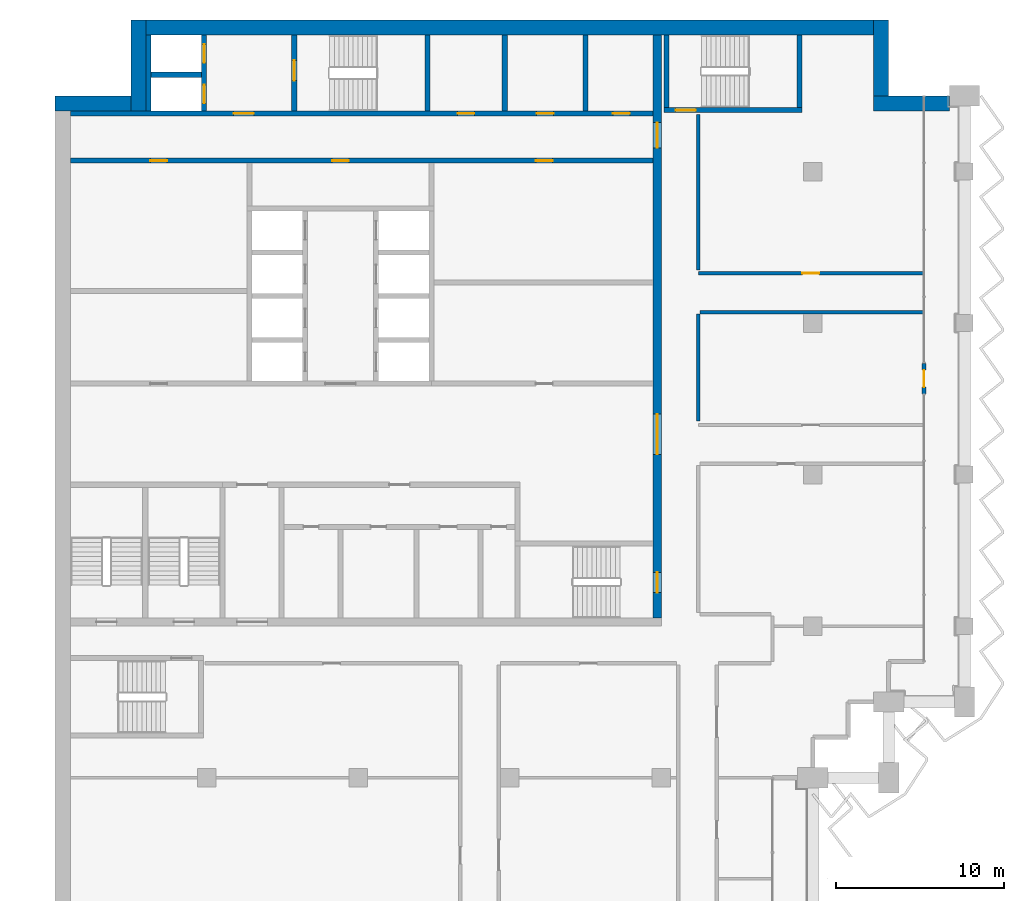
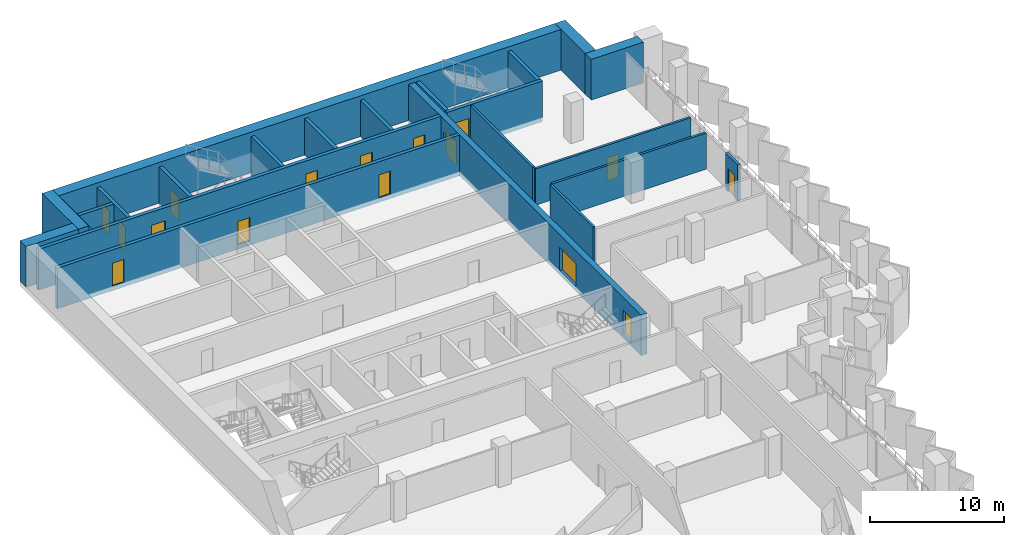
# One storey, part 10 of 17: 23 walls, 16 doors, 16 openings.
"""IFC4 building model written with IfcOpenShell, lengths in metres."""

from ifc_helpers import new_model, si_unit, direction, frame, frame_2d, origin, place, context, subcontext, project, spatial, rectangle, extrude, material, layer, layer_set, type_object, element, fill, save


model = new_model("IFC4")

# Units and contexts
model_context = context("Model", 3, precision=1e-05, world=origin(), true_north=direction((0.0, 1.0)))
body_context = subcontext(model_context, "Body", "Model", "MODEL_VIEW")
ifc_project = project(units=[si_unit("LENGTHUNIT", "METRE"), si_unit("AREAUNIT", "SQUARE_METRE"), si_unit("VOLUMEUNIT", "CUBIC_METRE"), si_unit("PLANEANGLEUNIT", "RADIAN"), si_unit("MASSUNIT", "GRAM", prefix="KILO")], contexts=[model_context])

# Site, building, storey
site_placement = place(None, origin())
site = spatial("IfcSite", under=ifc_project, at=site_placement, CompositionType="ELEMENT")
building_placement = place(site_placement, origin())
building = spatial("IfcBuilding", under=site, at=building_placement, Name="Hunhe Ridgeline Campus", CompositionType="ELEMENT")
storey_placement = place(building_placement, frame((0.0, 0.0, 197.60009765625)))
storey = spatial("IfcBuildingStorey", under=building, at=storey_placement, Name="L50", CompositionType="ELEMENT", Elevation=197.60009765625)

# Walls
ifc_material_1 = material(Name="Masonry concrete blockwork", Category="masonry")
ifc_layer_1 = layer(ifc_material_1, 0.300048828125)
ifc_layer_set_1 = layer_set([ifc_layer_1], Name="Core room partition 300 concrete block")
wall_type_1 = type_object("IfcWallType", Name="Core room partition 300 concrete block", PredefinedType="PARTITIONING", material=ifc_layer_set_1)
for number, where, z_axis, x_axis, name in (
    (1, (26.699951171875, 93.60009765625, 0.0), (0.0, 0.0, 1.0), (0.0, 1.0, 0.0), "L50 core partition 47"),
    (2, (31.5, 93.60009765625, 0.0), (0.0, 0.0, 1.0), (0.0, 1.0, 0.0), "L50 core partition 50"),
):
    element("IfcWall", number, at=place(storey_placement, frame(where, z_axis=z_axis, x_axis=x_axis)), inside=storey, type_object=wall_type_1, Name=name, PredefinedType="PARTITIONING", context=body_context, shape_type="SweptSolid", body=[
        extrude(rectangle(XDim=4.5, YDim=0.300048828125, at=frame_2d((2.25, 0.0))), origin(), (0.0, 0.0, 1.0), 3.2998046875),
    ])

# Wall, openings, doors
ifc_material_2 = material(Name="Concrete C60", Category="concrete")
ifc_layer_2 = layer(ifc_material_2, 0.5)
ifc_layer_set_2 = layer_set([ifc_layer_2], Name="Core wall 500 reinforced concrete C60")
wall_type_2 = type_object("IfcWallType", Name="Core wall 500 reinforced concrete C60", PredefinedType="SOLIDWALL", material=ifc_layer_set_2)
wall_1_placement = place(storey_placement, frame((35.75, 63.5, -0.400146484375), z_axis=(0.0, 0.0, 1.0), x_axis=(0.0, 1.0, 0.0)))
wall_1 = element("IfcWall", 3, at=wall_1_placement, inside=storey, type_object=wall_type_2, Name="L50 core wall 51", PredefinedType="SOLIDWALL", context=body_context, shape_type="SweptSolid", body=[
    extrude(rectangle(XDim=34.60009765625, YDim=0.5, at=frame_2d((17.300048828125, 0.0))), origin(), (0.0, 0.0, 1.0), 3.699951171875),
])
opening_1_placement = place(wall_1_placement, frame((9.699951171875, 0.0, 0.39990234375)))
opening_1 = element("IfcOpeningElement", 4, at=opening_1_placement, cuts=wall_1, Name="Opening CD4", PredefinedType="OPENING", context=body_context, shape_type="SweptSolid", body=[
    extrude(rectangle(XDim=2.39990234375, YDim=2.10009765625, at=frame_2d((1.199951171875, 1.050048828125))), frame((0.0, 0.25, 0.0), z_axis=(0.0, -1.0, 0.0), x_axis=(1.0, 0.0, 0.0)), (0.0, 0.0, 1.0), 0.5),
])
opening_2_placement = place(wall_1_placement, frame((27.89990234375, 0.0, 0.39990234375)))
opening_2 = element("IfcOpeningElement", 5, at=opening_2_placement, cuts=wall_1, Name="Opening CD5", PredefinedType="OPENING", context=body_context, shape_type="SweptSolid", body=[
    extrude(rectangle(XDim=1.5, YDim=2.10009765625, at=frame_2d((0.75, 1.050048828125))), frame((0.0, 0.25, 0.0), z_axis=(0.0, -1.0, 0.0), x_axis=(1.0, 0.0, 0.0)), (0.0, 0.0, 1.0), 0.5),
])
opening_3_placement = place(wall_1_placement, frame((1.5, 0.0, 0.39990234375)))
opening_3 = element("IfcOpeningElement", 6, at=opening_3_placement, cuts=wall_1, Name="Opening CD15", PredefinedType="OPENING", context=body_context, shape_type="SweptSolid", body=[
    extrude(rectangle(XDim=1.199951171875, YDim=2.10009765625, at=frame_2d((0.60009765625, 1.050048828125))), frame((0.0, 0.25, 0.0), z_axis=(0.0, -1.0, 0.0), x_axis=(1.0, 0.0, 0.0)), (0.0, 0.0, 1.0), 0.5),
])
ifc_material_3 = material(Name="Anodised aluminium and glass", Category="aluminium")
door_type_1 = type_object("IfcDoorType", Name="Glazed double door 2400x2100", OperationType="DOUBLE_DOOR_SINGLE_SWING", PredefinedType="DOOR", material=ifc_material_3)
door_1_placement = place(opening_1_placement, frame((2.39990234375, 0.0, 0.0), z_axis=(0.0, 0.0, 1.0), x_axis=(-1.0, 0.0, 0.0)))
door_1 = element("IfcDoor", 7, at=door_1_placement, inside=storey, type_object=door_type_1, Name="L50 door HALL-FLOOR", OperationType="DOUBLE_DOOR_SINGLE_SWING", OverallHeight=2.10009765625, OverallWidth=2.39990234375, PredefinedType="DOOR", context=body_context, shape_type="SweptSolid", body=[
    extrude(rectangle(XDim=2.39990234375, YDim=2.10009765625, at=frame_2d((1.199951171875, 1.050048828125))), frame((0.0, 0.02490234375, 0.0), z_axis=(0.0, -1.0, 0.0), x_axis=(1.0, 0.0, 0.0)), (0.0, 0.0, 1.0), 0.050048828125),
])
fill(opening_1, door_1)
ifc_material_4 = material(Name="Hollow metal fire door leaf")
door_type_2 = type_object("IfcDoorType", Name="Stair door 1200x2100 FD60", OperationType="SINGLE_SWING_LEFT", PredefinedType="DOOR", material=ifc_material_4)
door_2_placement = place(opening_3_placement, frame((1.199951171875, 0.0, 0.0), z_axis=(0.0, 0.0, 1.0), x_axis=(-1.0, 0.0, 0.0)))
door_2 = element("IfcDoor", 8, at=door_2_placement, inside=storey, type_object=door_type_2, Name="L50 door S2-FLOOR", OperationType="SINGLE_SWING_LEFT", OverallHeight=2.10009765625, OverallWidth=1.199951171875, PredefinedType="DOOR", context=body_context, shape_type="SweptSolid", body=[
    extrude(rectangle(XDim=1.199951171875, YDim=2.10009765625, at=frame_2d((0.60009765625, 1.050048828125))), frame((0.0, 0.02490234375, 0.0), z_axis=(0.0, -1.0, 0.0), x_axis=(1.0, 0.0, 0.0)), (0.0, 0.0, 1.0), 0.050048828125),
])
fill(opening_3, door_2)
ifc_material_5 = material(Name="Solid core timber door leaf", Category="wood")
door_type_3 = type_object("IfcDoorType", Name="Timber door 1500x2100", OperationType="SINGLE_SWING_LEFT", PredefinedType="DOOR", material=ifc_material_5)
door_3_placement = place(opening_2_placement, frame((1.5, 0.0, 0.0), z_axis=(0.0, 0.0, 1.0), x_axis=(-1.0, 0.0, 0.0)))
door_3 = element("IfcDoor", 9, at=door_3_placement, inside=storey, type_object=door_type_3, Name="L50 door C1-FLOOR", OperationType="SINGLE_SWING_LEFT", OverallHeight=2.10009765625, OverallWidth=1.5, PredefinedType="DOOR", context=body_context, shape_type="SweptSolid", body=[
    extrude(rectangle(XDim=1.5, YDim=2.10009765625, at=frame_2d((0.75, 1.050048828125))), frame((0.0, 0.02490234375, 0.0), z_axis=(0.0, -1.0, 0.0), x_axis=(1.0, 0.0, 0.0)), (0.0, 0.0, 1.0), 0.050048828125),
])
fill(opening_2, door_3)

# Wall
ifc_material_6 = material(Name="Gypsum board partition")
ifc_layer_3 = layer(ifc_material_6, 0.199951171875)
ifc_layer_set_3 = layer_set([ifc_layer_3], Name="Corridor partition 200 gypsum board on steel studs")
wall_type_3 = type_object("IfcWallType", Name="Corridor partition 200 gypsum board on steel studs", PredefinedType="PARTITIONING", material=ifc_layer_set_3)
wall_2_placement = place(storey_placement, frame((51.544921875, 81.64990234375, 0.0), z_axis=(0.0, 0.0, 1.0), x_axis=(-1.0, 0.0, 0.0)))
element("IfcWall", 10, at=wall_2_placement, inside=storey, type_object=wall_type_3, Name="F-L50-wall-034", PredefinedType="PARTITIONING", context=body_context, shape_type="SweptSolid", body=[
    extrude(rectangle(XDim=13.244873046875, YDim=0.199951171875, at=frame_2d((6.62255859375, 0.0))), origin(), (0.0, 0.0, 1.0), 3.2998046875),
])

# Wall, opening, door
wall_3_placement = place(storey_placement, frame((38.199951171875, 83.949951171875, 0.0), z_axis=(0.0, 0.0, 1.0), x_axis=(1.0, 0.0, 0.0)))
wall_3 = element("IfcWall", 11, at=wall_3_placement, inside=storey, type_object=wall_type_3, Name="F-L50-wall-035", PredefinedType="PARTITIONING", context=body_context, shape_type="SweptSolid", body=[
    extrude(rectangle(XDim=13.344970703125, YDim=0.199951171875, at=frame_2d((6.67236328125, 0.0))), origin(), (0.0, 0.0, 1.0), 3.2998046875),
])
opening_4_placement = place(wall_3_placement, frame((6.172607421875, 0.0, 0.0)))
opening_4 = element("IfcOpeningElement", 12, at=opening_4_placement, cuts=wall_3, Name="Opening RD1-018", PredefinedType="OPENING", context=body_context, shape_type="SweptSolid", body=[
    extrude(rectangle(XDim=1.0, YDim=2.10009765625, at=frame_2d((0.5, 1.050048828125))), frame((0.0, 0.10009765625, 0.0), z_axis=(0.0, -1.0, 0.0), x_axis=(1.0, 0.0, 0.0)), (0.0, 0.0, 1.0), 0.199951171875),
])
ifc_material_7 = material(Name="Timber door leaf", Category="wood")
door_type_4 = type_object("IfcDoorType", Name="Single fire door 1000x2100 timber FD60", OperationType="NOTDEFINED", PredefinedType="DOOR", material=ifc_material_7)
door_4_placement = place(opening_4_placement, origin())
door_4 = element("IfcDoor", 13, at=door_4_placement, inside=storey, type_object=door_type_4, Name="F-L50-door-018", OperationType="SINGLE_SWING_LEFT", OverallHeight=2.10009765625, OverallWidth=1.0, PredefinedType="DOOR", context=body_context, shape_type="SweptSolid", body=[
    extrude(rectangle(XDim=1.0, YDim=2.10009765625, at=frame_2d((0.5, 1.050048828125))), frame((0.0, 0.02490234375, 0.0), z_axis=(0.0, -1.0, 0.0), x_axis=(1.0, 0.0, 0.0)), (0.0, 0.0, 1.0), 0.050048828125),
])
fill(opening_4, door_4)

# Walls
wall_4_placement = place(storey_placement, frame((38.199951171875, 81.550048828125, 0.0), z_axis=(0.0, 0.0, 1.0), x_axis=(0.0, -1.0, 0.0)))
element("IfcWall", 14, at=wall_4_placement, inside=storey, type_object=wall_type_3, Name="F-L50-wall-045", PredefinedType="PARTITIONING", context=body_context, shape_type="SweptSolid", body=[
    extrude(rectangle(XDim=6.37060546875, YDim=0.199951171875, at=frame_2d((3.185302734375, 0.0))), origin(), (0.0, 0.0, 1.0), 3.2998046875),
])
wall_5_placement = place(storey_placement, frame((38.199951171875, 93.39599609375, 0.0), z_axis=(0.0, 0.0, 1.0), x_axis=(0.0, -1.0, 0.0)))
element("IfcWall", 15, at=wall_5_placement, inside=storey, type_object=wall_type_3, Name="F-L50-wall-046", PredefinedType="PARTITIONING", context=body_context, shape_type="SweptSolid", body=[
    extrude(rectangle(XDim=9.232421875, YDim=0.199951171875, at=frame_2d((4.6162109375, 0.0))), origin(), (0.0, 0.0, 1.0), 3.2998046875),
])

# Wall, openings, doors
ifc_layer_4 = layer(ifc_material_2, 0.300048828125)
ifc_layer_set_4 = layer_set([ifc_layer_4], Name="Lobby wall 300 reinforced concrete C60")
wall_type_4 = type_object("IfcWallType", Name="Lobby wall 300 reinforced concrete C60", PredefinedType="SOLIDWALL", material=ifc_layer_set_4)
wall_6_placement = place(storey_placement, frame((0.89990234375, 90.64990234375, -0.400146484375), z_axis=(0.0, 0.0, 1.0), x_axis=(1.0, 0.0, 0.0)))
wall_6 = element("IfcWall", 16, at=wall_6_placement, inside=storey, type_object=wall_type_4, Name="L50 core wall 23", PredefinedType="SOLIDWALL", context=body_context, shape_type="SweptSolid", body=[
    extrude(rectangle(XDim=34.60009765625, YDim=0.300048828125, at=frame_2d((17.300048828125, 0.0))), origin(), (0.0, 0.0, 1.0), 3.699951171875),
])
opening_5_placement = place(wall_6_placement, frame((15.550048828125, 0.0, 0.39990234375)))
opening_5 = element("IfcOpeningElement", 17, at=opening_5_placement, cuts=wall_6, Name="Opening CD26", PredefinedType="OPENING", context=body_context, shape_type="SweptSolid", body=[
    extrude(rectangle(XDim=1.0, YDim=2.10009765625, at=frame_2d((0.5, 1.050048828125))), frame((0.0, 0.14990234375, 0.0), z_axis=(0.0, -1.0, 0.0), x_axis=(1.0, 0.0, 0.0)), (0.0, 0.0, 1.0), 0.300048828125),
])
opening_6_placement = place(wall_6_placement, frame((4.75, 0.0, 0.39990234375)))
opening_6 = element("IfcOpeningElement", 18, at=opening_6_placement, cuts=wall_6, Name="Opening CD40", PredefinedType="OPENING", context=body_context, shape_type="SweptSolid", body=[
    extrude(rectangle(XDim=1.0, YDim=2.10009765625, at=frame_2d((0.5, 1.050048828125))), frame((0.0, 0.14990234375, 0.0), z_axis=(0.0, -1.0, 0.0), x_axis=(1.0, 0.0, 0.0)), (0.0, 0.0, 1.0), 0.300048828125),
])
opening_7_placement = place(wall_6_placement, frame((27.64990234375, 0.0, 0.39990234375)))
opening_7 = element("IfcOpeningElement", 19, at=opening_7_placement, cuts=wall_6, Name="Opening CD33", PredefinedType="OPENING", context=body_context, shape_type="SweptSolid", body=[
    extrude(rectangle(XDim=1.0, YDim=2.10009765625, at=frame_2d((0.5, 1.050048828125))), frame((0.0, 0.14990234375, 0.0), z_axis=(0.0, -1.0, 0.0), x_axis=(1.0, 0.0, 0.0)), (0.0, 0.0, 1.0), 0.300048828125),
])
door_type_5 = type_object("IfcDoorType", Name="Timber door 1000x2100", OperationType="SINGLE_SWING_LEFT", PredefinedType="DOOR", material=ifc_material_5)
door_5_placement = place(opening_5_placement, frame((1.0, 0.0, 0.0), z_axis=(0.0, 0.0, 1.0), x_axis=(-1.0, 0.0, 0.0)))
door_5 = element("IfcDoor", 20, at=door_5_placement, inside=storey, type_object=door_type_5, Name="L50 door NR-0", OperationType="SINGLE_SWING_LEFT", OverallHeight=2.10009765625, OverallWidth=1.0, PredefinedType="DOOR", context=body_context, shape_type="SweptSolid", body=[
    extrude(rectangle(XDim=1.0, YDim=2.10009765625, at=frame_2d((0.5, 1.050048828125))), frame((0.0, 0.02490234375, 0.0), z_axis=(0.0, -1.0, 0.0), x_axis=(1.0, 0.0, 0.0)), (0.0, 0.0, 1.0), 0.050048828125),
])
fill(opening_5, door_5)
door_6_placement = place(opening_6_placement, frame((1.0, 0.0, 0.0), z_axis=(0.0, 0.0, 1.0), x_axis=(-1.0, 0.0, 0.0)))
door_6 = element("IfcDoor", 21, at=door_6_placement, inside=storey, type_object=door_type_5, Name="L50 door VD-LR1", OperationType="SINGLE_SWING_LEFT", OverallHeight=2.10009765625, OverallWidth=1.0, PredefinedType="DOOR", context=body_context, shape_type="SweptSolid", body=[
    extrude(rectangle(XDim=1.0, YDim=2.10009765625, at=frame_2d((0.5, 1.050048828125))), frame((0.0, 0.02490234375, 0.0), z_axis=(0.0, -1.0, 0.0), x_axis=(1.0, 0.0, 0.0)), (0.0, 0.0, 1.0), 0.050048828125),
])
fill(opening_6, door_6)
door_7_placement = place(opening_7_placement, frame((1.0, 0.0, 0.0), z_axis=(0.0, 0.0, 1.0), x_axis=(-1.0, 0.0, 0.0)))
door_7 = element("IfcDoor", 22, at=door_7_placement, inside=storey, type_object=door_type_5, Name="L50 door ES1", OperationType="SINGLE_SWING_RIGHT", OverallHeight=2.10009765625, OverallWidth=1.0, PredefinedType="DOOR", context=body_context, shape_type="SweptSolid", body=[
    extrude(rectangle(XDim=1.0, YDim=2.10009765625, at=frame_2d((0.5, 1.050048828125))), frame((0.0, 0.02490234375, 0.0), z_axis=(0.0, -1.0, 0.0), x_axis=(1.0, 0.0, 0.0)), (0.0, 0.0, 1.0), 0.050048828125),
])
fill(opening_7, door_7)

# Wall, opening, door
ifc_material_8 = material(Name="Concrete C30", Category="concrete")
ifc_layer_5 = layer(ifc_material_8, 0.25)
ifc_layer_set_5 = layer_set([ifc_layer_5], Name="Loggia door pier wall 250 Concrete C30")
wall_type_5 = type_object("IfcWallType", Name="Loggia door pier wall 250 Concrete C30", PredefinedType="SOLIDWALL", material=ifc_layer_set_5)
wall_7_placement = place(storey_placement, frame((51.59912109375, 76.800537109375, 0.0), z_axis=(0.0, 0.0, 1.0), x_axis=(0.0, 1.0, 0.0)))
wall_7 = element("IfcWall", 23, at=wall_7_placement, inside=storey, type_object=wall_type_5, Name="Loggia door pier 3", PredefinedType="SOLIDWALL", context=body_context, shape_type="SweptSolid", body=[
    extrude(rectangle(XDim=1.800048828125, YDim=0.25, at=frame_2d((0.89990234375, 0.0))), origin(), (0.0, 0.0, 1.0), 3.2998046875),
])
opening_8_placement = place(wall_7_placement, frame((0.39990234375, 0.0, 0.0)))
opening_8 = element("IfcOpeningElement", 24, at=opening_8_placement, cuts=wall_7, Name="Opening BD406", PredefinedType="OPENING", context=body_context, shape_type="SweptSolid", body=[
    extrude(rectangle(XDim=1.0, YDim=2.10009765625, at=frame_2d((0.5, 1.050048828125))), frame((0.0, 0.125, 0.0), z_axis=(0.0, -1.0, 0.0), x_axis=(1.0, 0.0, 0.0)), (0.0, 0.0, 1.0), 0.25),
])
ifc_material_9 = material(Name="Aluminium 6063", Category="aluminium")
door_type_6 = type_object("IfcDoorType", Name="Loggia glazed door 1000x2100", OperationType="NOTDEFINED", PredefinedType="DOOR", material=ifc_material_9)
door_8_placement = place(opening_8_placement, frame((1.0, 0.0, 0.0), z_axis=(0.0, 0.0, 1.0), x_axis=(-1.0, 0.0, 0.0)))
door_8 = element("IfcDoor", 25, at=door_8_placement, inside=storey, type_object=door_type_6, Name="Loggia door BD406", OperationType="SINGLE_SWING_LEFT", OverallHeight=2.10009765625, OverallWidth=1.0, PredefinedType="DOOR", context=body_context, shape_type="SweptSolid", body=[
    extrude(rectangle(XDim=1.0, YDim=2.10009765625, at=frame_2d((0.5, 1.050048828125))), frame((0.0, 0.02490234375, 0.0), z_axis=(0.0, -1.0, 0.0), x_axis=(1.0, 0.0, 0.0)), (0.0, 0.0, 1.0), 0.050048828125),
])
fill(opening_8, door_8)

# Wall, openings, doors
ifc_layer_6 = layer(ifc_material_2, 0.300048828125)
ifc_layer_set_6 = layer_set([ifc_layer_6], Name="Shaft wall 300 reinforced concrete C60")
wall_type_6 = type_object("IfcWallType", Name="Shaft wall 300 reinforced concrete C60", PredefinedType="SOLIDWALL", material=ifc_layer_set_6)
wall_8_placement = place(storey_placement, frame((0.89990234375, 93.449951171875, -0.400146484375), z_axis=(0.0, 0.0, 1.0), x_axis=(1.0, 0.0, 0.0)))
wall_8 = element("IfcWall", 26, at=wall_8_placement, inside=storey, type_object=wall_type_6, Name="L50 core wall 24", PredefinedType="SOLIDWALL", context=body_context, shape_type="SweptSolid", body=[
    extrude(rectangle(XDim=34.60009765625, YDim=0.300048828125, at=frame_2d((17.300048828125, 0.0))), origin(), (0.0, 0.0, 1.0), 3.699951171875),
])
opening_9_placement = place(wall_8_placement, frame((9.699951171875, 0.0, 0.39990234375)))
opening_9 = element("IfcOpeningElement", 27, at=opening_9_placement, cuts=wall_8, Name="Opening CD3", PredefinedType="OPENING", context=body_context, shape_type="SweptSolid", body=[
    extrude(rectangle(XDim=1.199951171875, YDim=2.10009765625, at=frame_2d((0.60009765625, 1.050048828125))), frame((0.0, 0.14990234375, 0.0), z_axis=(0.0, -1.0, 0.0), x_axis=(1.0, 0.0, 0.0)), (0.0, 0.0, 1.0), 0.300048828125),
])
opening_10_placement = place(wall_8_placement, frame((23.0, 0.0, 0.39990234375)))
opening_10 = element("IfcOpeningElement", 28, at=opening_10_placement, cuts=wall_8, Name="Opening CD34", PredefinedType="OPENING", context=body_context, shape_type="SweptSolid", body=[
    extrude(rectangle(XDim=1.0, YDim=2.10009765625, at=frame_2d((0.5, 1.050048828125))), frame((0.0, 0.14990234375, 0.0), z_axis=(0.0, -1.0, 0.0), x_axis=(1.0, 0.0, 0.0)), (0.0, 0.0, 1.0), 0.300048828125),
])
opening_11_placement = place(wall_8_placement, frame((27.699951171875, 0.0, 0.39990234375)))
opening_11 = element("IfcOpeningElement", 29, at=opening_11_placement, cuts=wall_8, Name="Opening CD35", PredefinedType="OPENING", context=body_context, shape_type="SweptSolid", body=[
    extrude(rectangle(XDim=1.0, YDim=2.10009765625, at=frame_2d((0.5, 1.050048828125))), frame((0.0, 0.14990234375, 0.0), z_axis=(0.0, -1.0, 0.0), x_axis=(1.0, 0.0, 0.0)), (0.0, 0.0, 1.0), 0.300048828125),
])
opening_12_placement = place(wall_8_placement, frame((32.22509765625, 0.0, 0.39990234375)))
opening_12 = element("IfcOpeningElement", 30, at=opening_12_placement, cuts=wall_8, Name="Opening CD36", PredefinedType="OPENING", context=body_context, shape_type="SweptSolid", body=[
    extrude(rectangle(XDim=1.0, YDim=2.10009765625, at=frame_2d((0.5, 1.050048828125))), frame((0.0, 0.14990234375, 0.0), z_axis=(0.0, -1.0, 0.0), x_axis=(1.0, 0.0, 0.0)), (0.0, 0.0, 1.0), 0.300048828125),
])
door_type_7 = type_object("IfcDoorType", Name="Lobby door 1200x2100 FD60", OperationType="SINGLE_SWING_LEFT", PredefinedType="DOOR", material=ifc_material_4)
door_9_placement = place(opening_9_placement, frame((1.199951171875, 0.0, 0.0), z_axis=(0.0, 0.0, 1.0), x_axis=(-1.0, 0.0, 0.0)))
door_9 = element("IfcDoor", 31, at=door_9_placement, inside=storey, type_object=door_type_7, Name="L50 door FF-C1", OperationType="SINGLE_SWING_RIGHT", OverallHeight=2.10009765625, OverallWidth=1.199951171875, PredefinedType="DOOR", context=body_context, shape_type="SweptSolid", body=[
    extrude(rectangle(XDim=1.199951171875, YDim=2.10009765625, at=frame_2d((0.60009765625, 1.050048828125))), frame((0.0, 0.02490234375, 0.0), z_axis=(0.0, -1.0, 0.0), x_axis=(1.0, 0.0, 0.0)), (0.0, 0.0, 1.0), 0.050048828125),
])
fill(opening_9, door_9)
door_10_placement = place(opening_10_placement, origin())
door_10 = element("IfcDoor", 32, at=door_10_placement, inside=storey, type_object=door_type_5, Name="L50 door NB0", OperationType="SINGLE_SWING_RIGHT", OverallHeight=2.10009765625, OverallWidth=1.0, PredefinedType="DOOR", context=body_context, shape_type="SweptSolid", body=[
    extrude(rectangle(XDim=1.0, YDim=2.10009765625, at=frame_2d((0.5, 1.050048828125))), frame((0.0, 0.02490234375, 0.0), z_axis=(0.0, -1.0, 0.0), x_axis=(1.0, 0.0, 0.0)), (0.0, 0.0, 1.0), 0.050048828125),
])
fill(opening_10, door_10)
door_11_placement = place(opening_11_placement, origin())
door_11 = element("IfcDoor", 33, at=door_11_placement, inside=storey, type_object=door_type_5, Name="L50 door NB1", OperationType="SINGLE_SWING_LEFT", OverallHeight=2.10009765625, OverallWidth=1.0, PredefinedType="DOOR", context=body_context, shape_type="SweptSolid", body=[
    extrude(rectangle(XDim=1.0, YDim=2.10009765625, at=frame_2d((0.5, 1.050048828125))), frame((0.0, 0.02490234375, 0.0), z_axis=(0.0, -1.0, 0.0), x_axis=(1.0, 0.0, 0.0)), (0.0, 0.0, 1.0), 0.050048828125),
])
fill(opening_11, door_11)
door_12_placement = place(opening_12_placement, origin())
door_12 = element("IfcDoor", 34, at=door_12_placement, inside=storey, type_object=door_type_5, Name="L50 door NB2", OperationType="SINGLE_SWING_RIGHT", OverallHeight=2.10009765625, OverallWidth=1.0, PredefinedType="DOOR", context=body_context, shape_type="SweptSolid", body=[
    extrude(rectangle(XDim=1.0, YDim=2.10009765625, at=frame_2d((0.5, 1.050048828125))), frame((0.0, 0.02490234375, 0.0), z_axis=(0.0, -1.0, 0.0), x_axis=(1.0, 0.0, 0.0)), (0.0, 0.0, 1.0), 0.050048828125),
])
fill(opening_12, door_12)

# Walls
wall_9_placement = place(storey_placement, frame((5.699951171875, 95.75, -0.400146484375), z_axis=(0.0, 0.0, 1.0), x_axis=(1.0, 0.0, 0.0)))
element("IfcWall", 35, at=wall_9_placement, inside=storey, type_object=wall_type_6, Name="L50 core wall 26", PredefinedType="SOLIDWALL", context=body_context, shape_type="SweptSolid", body=[
    extrude(rectangle(XDim=3.0, YDim=0.300048828125, at=frame_2d((1.5, 0.0))), origin(), (0.0, 0.0, 1.0), 3.699951171875),
])
wall_10_placement = place(storey_placement, frame((5.550048828125, 93.60009765625, -0.400146484375), z_axis=(0.0, 0.0, 1.0), x_axis=(0.0, 1.0, 0.0)))
element("IfcWall", 36, at=wall_10_placement, inside=storey, type_object=wall_type_6, Name="L50 core wall 28", PredefinedType="SOLIDWALL", context=body_context, shape_type="SweptSolid", body=[
    extrude(rectangle(XDim=4.5, YDim=0.300048828125, at=frame_2d((2.25, 0.0))), origin(), (0.0, 0.0, 1.0), 3.699951171875),
])

# Wall, openings, doors
wall_11_placement = place(storey_placement, frame((8.85009765625, 93.60009765625, -0.400146484375), z_axis=(0.0, 0.0, 1.0), x_axis=(0.0, 1.0, 0.0)))
wall_11 = element("IfcWall", 37, at=wall_11_placement, inside=storey, type_object=wall_type_6, Name="L50 core wall 31", PredefinedType="SOLIDWALL", context=body_context, shape_type="SweptSolid", body=[
    extrude(rectangle(XDim=4.5, YDim=0.300048828125, at=frame_2d((2.25, 0.0))), origin(), (0.0, 0.0, 1.0), 3.699951171875),
])
opening_13_placement = place(wall_11_placement, frame((0.449951171875, 0.0, 0.39990234375)))
opening_13 = element("IfcOpeningElement", 38, at=opening_13_placement, cuts=wall_11, Name="Opening LD-FF1", PredefinedType="OPENING", context=body_context, shape_type="SweptSolid", body=[
    extrude(rectangle(XDim=1.10009765625, YDim=2.10009765625, at=frame_2d((0.550048828125, 1.050048828125))), frame((0.0, 0.14990234375, 0.0), z_axis=(0.0, -1.0, 0.0), x_axis=(1.0, 0.0, 0.0)), (0.0, 0.0, 1.0), 0.300048828125),
])
opening_14_placement = place(wall_11_placement, frame((2.85009765625, 0.0, 0.39990234375)))
opening_14 = element("IfcOpeningElement", 39, at=opening_14_placement, cuts=wall_11, Name="Opening LD-FF2", PredefinedType="OPENING", context=body_context, shape_type="SweptSolid", body=[
    extrude(rectangle(XDim=1.10009765625, YDim=2.10009765625, at=frame_2d((0.550048828125, 1.050048828125))), frame((0.0, 0.14990234375, 0.0), z_axis=(0.0, -1.0, 0.0), x_axis=(1.0, 0.0, 0.0)), (0.0, 0.0, 1.0), 0.300048828125),
])
ifc_material_10 = material(Name="Stainless steel sliding leaves", Category="steel")
door_type_8 = type_object("IfcDoorType", Name="Landing door 1100x2100 FD120", OperationType="SLIDING_TO_LEFT", PredefinedType="DOOR", material=ifc_material_10)
door_13_placement = place(opening_13_placement, origin())
door_13 = element("IfcDoor", 40, at=door_13_placement, inside=storey, type_object=door_type_8, Name="L50 landing door FF1", OperationType="SLIDING_TO_RIGHT", OverallHeight=2.10009765625, OverallWidth=1.10009765625, PredefinedType="DOOR", context=body_context, shape_type="SweptSolid", body=[
    extrude(rectangle(XDim=1.10009765625, YDim=2.10009765625, at=frame_2d((0.550048828125, 1.050048828125))), frame((0.0, 0.02490234375, 0.0), z_axis=(0.0, -1.0, 0.0), x_axis=(1.0, 0.0, 0.0)), (0.0, 0.0, 1.0), 0.050048828125),
])
fill(opening_13, door_13)
door_14_placement = place(opening_14_placement, origin())
door_14 = element("IfcDoor", 41, at=door_14_placement, inside=storey, type_object=door_type_8, Name="L50 landing door FF2", OperationType="SLIDING_TO_LEFT", OverallHeight=2.10009765625, OverallWidth=1.10009765625, PredefinedType="DOOR", context=body_context, shape_type="SweptSolid", body=[
    extrude(rectangle(XDim=1.10009765625, YDim=2.10009765625, at=frame_2d((0.550048828125, 1.050048828125))), frame((0.0, 0.02490234375, 0.0), z_axis=(0.0, -1.0, 0.0), x_axis=(1.0, 0.0, 0.0)), (0.0, 0.0, 1.0), 0.050048828125),
])
fill(opening_14, door_14)

# Walls
ifc_layer_7 = layer(ifc_material_2, 0.89990234375)
ifc_layer_set_7 = layer_set([ifc_layer_7], Name="Spine wall 900 Concrete C60")
wall_type_7 = type_object("IfcWallType", Name="Spine wall 900 Concrete C60", PredefinedType="SHEAR", material=ifc_layer_set_7)
wall_12_placement = place(storey_placement, frame((53.10009765625, 94.050048828125, 0.0), z_axis=(0.0, 0.0, 1.0), x_axis=(-1.0, 0.0, 0.0)))
element("IfcWall", 42, at=wall_12_placement, inside=storey, type_object=wall_type_7, Name="Spine wall SW3-2 L50", PredefinedType="SHEAR", context=body_context, shape_type="SweptSolid", body=[
    extrude(rectangle(XDim=4.5, YDim=0.89990234375, at=frame_2d((2.25, 0.0))), origin(), (0.0, 0.0, 1.0), 3.699951171875),
])
wall_13_placement = place(storey_placement, frame((49.050048828125, 93.60009765625, 0.0), z_axis=(0.0, 0.0, 1.0), x_axis=(0.0, 1.0, 0.0)))
element("IfcWall", 43, at=wall_13_placement, inside=storey, type_object=wall_type_7, Name="Spine wall SW3-3 L50", PredefinedType="SHEAR", context=body_context, shape_type="SweptSolid", body=[
    extrude(rectangle(XDim=5.39990234375, YDim=0.89990234375, at=frame_2d((2.699951171875, 0.0))), origin(), (0.0, 0.0, 1.0), 3.699951171875),
])
wall_14_placement = place(storey_placement, frame((49.5, 98.550048828125, 0.0), z_axis=(0.0, 0.0, 1.0), x_axis=(-1.0, 0.0, 0.0)))
element("IfcWall", 44, at=wall_14_placement, inside=storey, type_object=wall_type_7, Name="Spine wall SW3-4 L50", PredefinedType="SHEAR", context=body_context, shape_type="SweptSolid", body=[
    extrude(rectangle(XDim=45.0, YDim=0.89990234375, at=frame_2d((22.5, 0.0))), origin(), (0.0, 0.0, 1.0), 3.699951171875),
])
for number, where, z_axis, x_axis, name in (
    (45, (4.949951171875, 99.0, 0.0), (0.0, 0.0, 1.0), (0.0, -1.0, 0.0), "Spine wall SW3-5 L50"),
    (46, (5.400146484375, 94.050048828125, 0.0), (0.0, 0.0, 1.0), (-1.0, 0.0, 0.0), "Spine wall SW3-6 L50"),
):
    element("IfcWall", number, at=place(storey_placement, frame(where, z_axis=z_axis, x_axis=x_axis)), inside=storey, type_object=wall_type_7, Name=name, PredefinedType="SHEAR", context=body_context, shape_type="SweptSolid", body=[
        extrude(rectangle(XDim=5.400146484375, YDim=0.89990234375, at=frame_2d((2.7001953125, 0.0))), origin(), (0.0, 0.0, 1.0), 3.699951171875),
    ])

# Wall, opening, door
ifc_layer_8 = layer(ifc_material_2, 0.300048828125)
ifc_layer_set_8 = layer_set([ifc_layer_8], Name="Stair wall 300 reinforced concrete C60")
wall_type_8 = type_object("IfcWallType", Name="Stair wall 300 reinforced concrete C60", PredefinedType="SOLIDWALL", material=ifc_layer_set_8)
wall_15_placement = place(storey_placement, frame((36.14990234375, 93.64990234375, -0.400146484375), z_axis=(0.0, 0.0, 1.0), x_axis=(1.0, 0.0, 0.0)))
wall_15 = element("IfcWall", 47, at=wall_15_placement, inside=storey, type_object=wall_type_8, Name="L50 core wall 25", PredefinedType="SOLIDWALL", context=body_context, shape_type="SweptSolid", body=[
    extrude(rectangle(XDim=8.2001953125, YDim=0.300048828125, at=frame_2d((4.10009765625, 0.0))), origin(), (0.0, 0.0, 1.0), 3.699951171875),
])
opening_15_placement = place(wall_15_placement, frame((0.699951171875, 0.0, 0.39990234375)))
opening_15 = element("IfcOpeningElement", 48, at=opening_15_placement, cuts=wall_15, Name="Opening CD17", PredefinedType="OPENING", context=body_context, shape_type="SweptSolid", body=[
    extrude(rectangle(XDim=1.199951171875, YDim=2.10009765625, at=frame_2d((0.60009765625, 1.050048828125))), frame((0.0, 0.14990234375, 0.0), z_axis=(0.0, -1.0, 0.0), x_axis=(1.0, 0.0, 0.0)), (0.0, 0.0, 1.0), 0.300048828125),
])
door_15_placement = place(opening_15_placement, frame((1.199951171875, 0.0, 0.0), z_axis=(0.0, 0.0, 1.0), x_axis=(-1.0, 0.0, 0.0)))
door_15 = element("IfcDoor", 49, at=door_15_placement, inside=storey, type_object=door_type_2, Name="L50 door E1", OperationType="SINGLE_SWING_LEFT", OverallHeight=2.10009765625, OverallWidth=1.199951171875, PredefinedType="DOOR", context=body_context, shape_type="SweptSolid", body=[
    extrude(rectangle(XDim=1.199951171875, YDim=2.10009765625, at=frame_2d((0.60009765625, 1.050048828125))), frame((0.0, 0.02490234375, 0.0), z_axis=(0.0, -1.0, 0.0), x_axis=(1.0, 0.0, 0.0)), (0.0, 0.0, 1.0), 0.050048828125),
])
fill(opening_15, door_15)

wall_16_placement = place(storey_placement, frame((14.199951171875, 93.60009765625, -0.400146484375), z_axis=(0.0, 0.0, 1.0), x_axis=(0.0, 1.0, 0.0)))
wall_16 = element("IfcWall", 50, at=wall_16_placement, inside=storey, type_object=wall_type_8, Name="L50 core wall 36", PredefinedType="SOLIDWALL", context=body_context, shape_type="SweptSolid", body=[
    extrude(rectangle(XDim=4.5, YDim=0.300048828125, at=frame_2d((2.25, 0.0))), origin(), (0.0, 0.0, 1.0), 3.699951171875),
])
opening_16_placement = place(wall_16_placement, frame((1.800048828125, 0.0, 0.39990234375)))
opening_16 = element("IfcOpeningElement", 51, at=opening_16_placement, cuts=wall_16, Name="Opening CD16", PredefinedType="OPENING", context=body_context, shape_type="SweptSolid", body=[
    extrude(rectangle(XDim=1.199951171875, YDim=2.10009765625, at=frame_2d((0.60009765625, 1.050048828125))), frame((0.0, 0.14990234375, 0.0), z_axis=(0.0, -1.0, 0.0), x_axis=(1.0, 0.0, 0.0)), (0.0, 0.0, 1.0), 0.300048828125),
])
door_16_placement = place(opening_16_placement, origin())
door_16 = element("IfcDoor", 52, at=door_16_placement, inside=storey, type_object=door_type_2, Name="L50 door S1-FF", OperationType="SINGLE_SWING_RIGHT", OverallHeight=2.10009765625, OverallWidth=1.199951171875, PredefinedType="DOOR", context=body_context, shape_type="SweptSolid", body=[
    extrude(rectangle(XDim=1.199951171875, YDim=2.10009765625, at=frame_2d((0.60009765625, 1.050048828125))), frame((0.0, 0.02490234375, 0.0), z_axis=(0.0, -1.0, 0.0), x_axis=(1.0, 0.0, 0.0)), (0.0, 0.0, 1.0), 0.050048828125),
])
fill(opening_16, door_16)

# Walls
wall_17_placement = place(storey_placement, frame((22.10009765625, 93.60009765625, -0.400146484375), z_axis=(0.0, 0.0, 1.0), x_axis=(0.0, 1.0, 0.0)))
element("IfcWall", 53, at=wall_17_placement, inside=storey, type_object=wall_type_8, Name="L50 core wall 42", PredefinedType="SOLIDWALL", context=body_context, shape_type="SweptSolid", body=[
    extrude(rectangle(XDim=4.5, YDim=0.300048828125, at=frame_2d((2.25, 0.0))), origin(), (0.0, 0.0, 1.0), 3.699951171875),
])
for number, where, z_axis, x_axis, name in (
    (54, (36.300048828125, 93.800048828125, -0.400146484375), (0.0, 0.0, 1.0), (0.0, 1.0, 0.0), "L50 core wall 52"),
    (55, (44.199951171875, 93.800048828125, -0.400146484375), (0.0, 0.0, 1.0), (0.0, 1.0, 0.0), "L50 core wall 53"),
):
    element("IfcWall", number, at=place(storey_placement, frame(where, z_axis=z_axis, x_axis=x_axis)), inside=storey, type_object=wall_type_8, Name=name, PredefinedType="SOLIDWALL", context=body_context, shape_type="SweptSolid", body=[
        extrude(rectangle(XDim=4.300048828125, YDim=0.300048828125, at=frame_2d((2.14990234375, 0.0))), origin(), (0.0, 0.0, 1.0), 3.699951171875),
    ])

save(model, "model.ifc")
